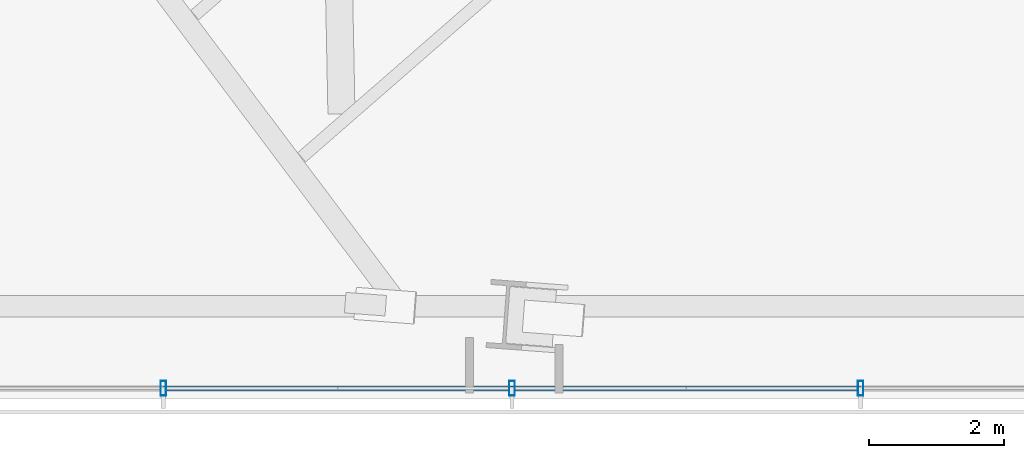
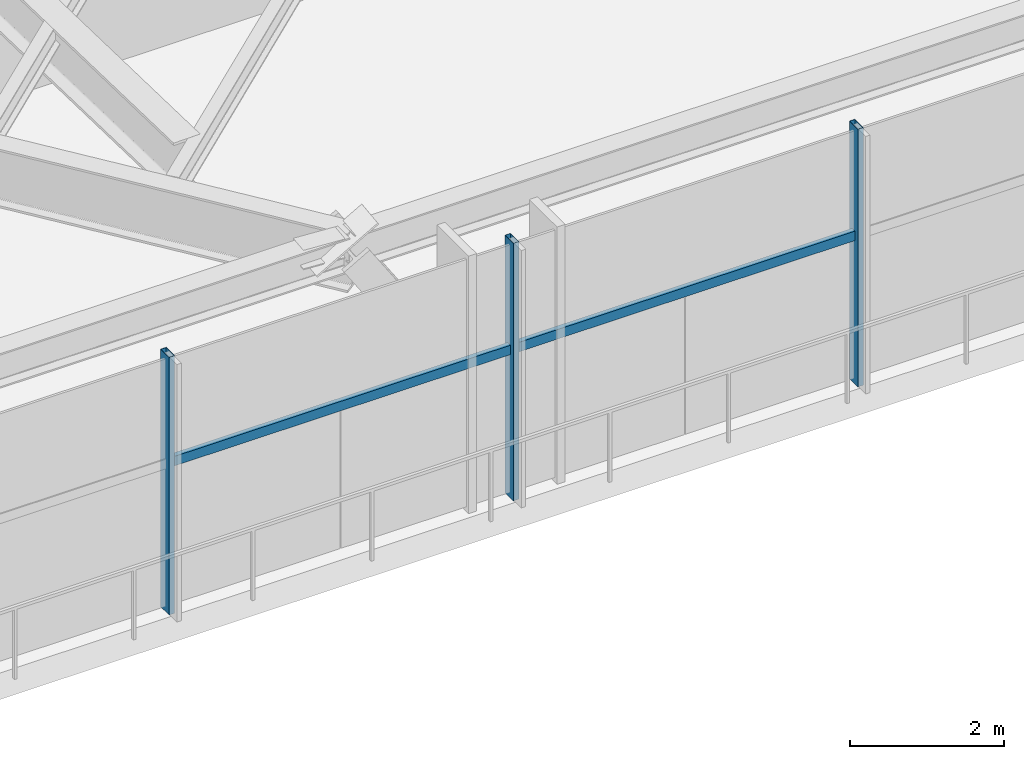
# One storey, part 14 of 36: 5 members, 1 element without a shape of its own.
"""IFC4 building model written with IfcOpenShell, lengths in metres."""

from ifc_helpers import new_model, si_unit, direction, frame, origin, origin_2d, place, context, subcontext, project, spatial, hollow_rectangle, extrude, source, transform, mapped, material, material_profile, profile_set, type_object, type_shapes, element, aggregate, save


model = new_model("IFC4")

# Units and contexts
model_context = context("Model", 3, precision=1e-05, world=origin(), true_north=direction((0.0, 1.0)))
body_context = subcontext(model_context, "Body", "Model", "MODEL_VIEW")
ifc_project = project(units=[si_unit("LENGTHUNIT", "METRE"), si_unit("AREAUNIT", "SQUARE_METRE"), si_unit("VOLUMEUNIT", "CUBIC_METRE"), si_unit("PLANEANGLEUNIT", "RADIAN"), si_unit("MASSUNIT", "GRAM", prefix="KILO")], contexts=[model_context])

# Site, building, storey
site_placement = place(None, origin())
site = spatial("IfcSite", under=ifc_project, at=site_placement, CompositionType="ELEMENT")
building_placement = place(site_placement, origin())
building = spatial("IfcBuilding", under=site, at=building_placement, Name="Astriad Promenade Condominiums", CompositionType="ELEMENT")
storey_placement = place(building_placement, frame((0.0, 0.0, 5.0)))
storey = spatial("IfcBuildingStorey", under=building, at=storey_placement, Name="L01", CompositionType="ELEMENT", Elevation=5.0)

# Curtain wall, members
ifc_material_1 = material(Name="Anodised aluminium Black Dark Glass Unitised", Category="aluminium")
curtain_wall_type = type_object("IfcCurtainWallType", Name="CW-POD-DARK", PredefinedType="USERDEFINED", material=ifc_material_1)
curtain_wall_placement = place(storey_placement, origin())
curtain_wall = element("IfcCurtainWall", 1, at=curtain_wall_placement, inside=storey, type_object=curtain_wall_type, Name="CW-L01-S", ObjectType="UNITISED_CURTAIN_WALL", PredefinedType="USERDEFINED")
ifc_material_2 = material(Name="Anodised aluminium 6063-T6 Black", Category="aluminium")
ifc_material_profile_1 = material_profile(ifc_material_2, hollow_rectangle(XDim=0.0849609375, YDim=0.219970703125, WallThickness=0.0048828125, at=origin_2d()), Name="ALU-MUL-85X220")
ifc_profile_set_1 = profile_set([ifc_material_profile_1], Name="Anodised aluminium 6063-T6 Black")
member_type_1 = type_object("IfcMemberType", Name="MUL-ALU-MUL-85X220", PredefinedType="MULLION", material=ifc_profile_set_1)
shared_shape_1 = source(origin(), body_context, "Body", "SweptSolid", [
    extrude(hollow_rectangle(XDim=0.0849609375, YDim=0.219970703125, WallThickness=0.0048828125, at=origin_2d()), origin(), (0.0, 0.0, 1.0), 4.080078125),
])
type_shapes(member_type_1, [shared_shape_1])
member_1_placement = place(storey_placement, frame((63.726806640625, 1.14990234375, 0.0), z_axis=(0.0, 0.0, 1.0), x_axis=(1.0, 0.0, 0.0)))
member_1 = element("IfcMember", 2, at=member_1_placement, type_object=member_type_1, Name="CW-L01-S-MUL-02", PredefinedType="MULLION", context=body_context, shape_type="MappedRepresentation", body=[
    mapped(shared_shape_1, transform((0.0, 0.0, 0.0), scale=1.0)),
])
member_2_placement = place(storey_placement, frame((58.5654296875, 1.14990234375, 0.0), z_axis=(0.0, 0.0, 1.0), x_axis=(1.0, 0.0, 0.0)))
member_2 = element("IfcMember", 3, at=member_2_placement, type_object=member_type_1, Name="CW-L01-S-MUL-03", PredefinedType="MULLION", context=body_context, shape_type="MappedRepresentation", body=[
    mapped(shared_shape_1, transform((0.0, 0.0, 0.0), scale=1.0)),
])
member_3_placement = place(storey_placement, frame((53.40380859375, 1.14990234375, 0.0), z_axis=(0.0, 0.0, 1.0), x_axis=(1.0, 0.0, 0.0)))
member_3 = element("IfcMember", 4, at=member_3_placement, type_object=member_type_1, Name="CW-L01-S-MUL-04", PredefinedType="MULLION", context=body_context, shape_type="MappedRepresentation", body=[
    mapped(shared_shape_1, transform((0.0, 0.0, 0.0), scale=1.0)),
])
ifc_material_profile_2 = material_profile(ifc_material_2, hollow_rectangle(XDim=0.074951171875, YDim=0.14990234375, WallThickness=0.004150390625, at=origin_2d()), Name="ALU-TRN-75X150")
ifc_profile_set_2 = profile_set([ifc_material_profile_2], Name="Anodised aluminium 6063-T6 Black")
member_type_2 = type_object("IfcMemberType", Name="TRN-ALU-TRN-75X150", PredefinedType="USERDEFINED", material=ifc_profile_set_2)
shared_shape_2 = source(origin(), body_context, "Body", "SweptSolid", [
    extrude(hollow_rectangle(XDim=0.074951171875, YDim=0.14990234375, WallThickness=0.004150390625, at=origin_2d()), origin(), (0.0, 0.0, 1.0), 5.16162109375),
])
member_4_placement = place(storey_placement, frame((58.5654296875, 1.14990234375, 2.35009765625), z_axis=(-1.0, 0.0, 0.0), x_axis=(0.0, -1.0, 0.0)))
member_4 = element("IfcMember", 5, at=member_4_placement, type_object=member_type_2, Name="CW-L01-S-TRN-03-0", ObjectType="TRANSOM", PredefinedType="USERDEFINED", context=body_context, shape_type="MappedRepresentation", body=[
    mapped(shared_shape_2, transform((0.0, 0.0, 0.0), scale=1.0)),
])
shared_shape_3 = source(origin(), body_context, "Body", "SweptSolid", [
    extrude(hollow_rectangle(XDim=0.074951171875, YDim=0.14990234375, WallThickness=0.004150390625, at=origin_2d()), origin(), (0.0, 0.0, 1.0), 5.161376953125),
])
type_shapes(member_type_2, [shared_shape_2, shared_shape_3])
member_5_placement = place(storey_placement, frame((63.726806640625, 1.14990234375, 2.35009765625), z_axis=(-1.0, 0.0, 0.0), x_axis=(0.0, -1.0, 0.0)))
member_5 = element("IfcMember", 6, at=member_5_placement, type_object=member_type_2, Name="CW-L01-S-TRN-02-0", ObjectType="TRANSOM", PredefinedType="USERDEFINED", context=body_context, shape_type="MappedRepresentation", body=[
    mapped(shared_shape_3, transform((0.0, 0.0, 0.0), scale=1.0)),
])
aggregate(curtain_wall, [member_1, member_2, member_3, member_5, member_4])

save(model, "model.ifc")
